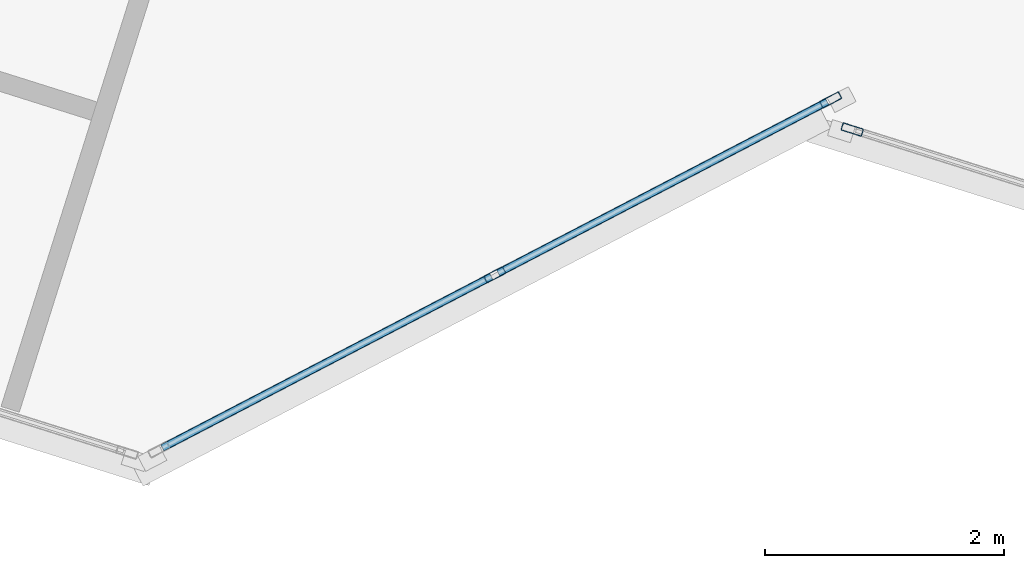
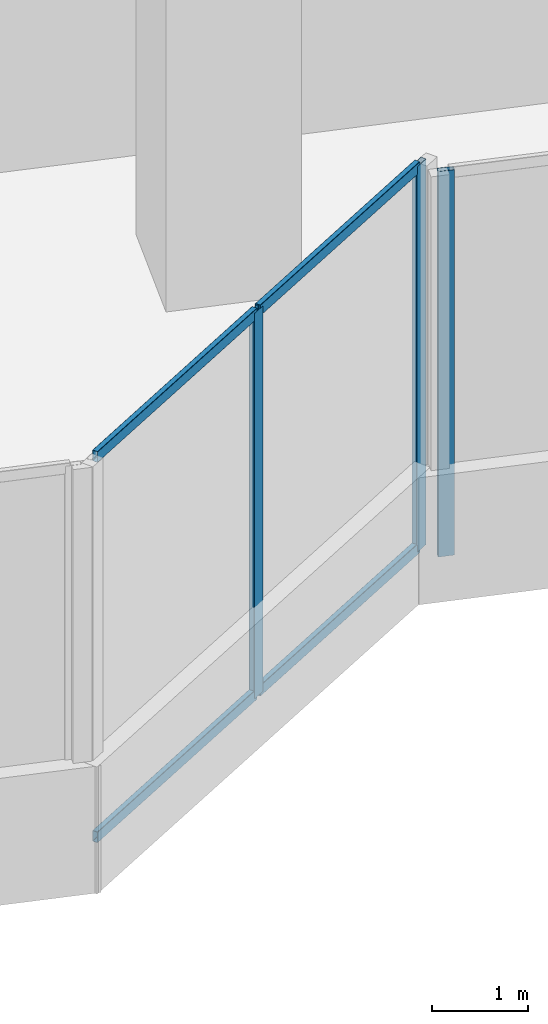
# One storey, part 5 of 28: 7 members, 2 elements without a shape of their own.
"""IFC4 building model written with IfcOpenShell, lengths in metres."""

from ifc_helpers import new_model, si_unit, direction, frame, origin, origin_2d, place, context, subcontext, project, spatial, hollow_rectangle, extrude, source, transform, mapped, material, material_profile, profile_set, type_object, element, aggregate, save


model = new_model("IFC4")

# Units and contexts
model_context = context("Model", 3, precision=1e-05, world=origin(), true_north=direction((0.0, 1.0)))
body_context = subcontext(model_context, "Body", "Model", "MODEL_VIEW")
ifc_project = project(units=[si_unit("LENGTHUNIT", "METRE"), si_unit("AREAUNIT", "SQUARE_METRE"), si_unit("VOLUMEUNIT", "CUBIC_METRE"), si_unit("PLANEANGLEUNIT", "RADIAN"), si_unit("MASSUNIT", "GRAM", prefix="KILO")], contexts=[model_context])

# Site, building, storey
site_placement = place(None, origin())
site = spatial("IfcSite", under=ifc_project, at=site_placement, CompositionType="ELEMENT")
building_placement = place(site_placement, origin())
building = spatial("IfcBuilding", under=site, at=building_placement, Name="Torre Montelarca", CompositionType="ELEMENT")
storey_placement = place(building_placement, frame((0.0, 0.0, 116.800048828125)))
storey = spatial("IfcBuildingStorey", under=building, at=storey_placement, Name="L26", CompositionType="ELEMENT", Elevation=116.800048828125)

# Curtain wall, members
ifc_material_1 = material(Name="Insulated low-E laminated glass", Category="glass")
curtain_wall_type = type_object("IfcCurtainWallType", Name="CW-SYS-Z1", PredefinedType="USERDEFINED", material=ifc_material_1)
curtain_wall_1_placement = place(storey_placement, origin())
curtain_wall_1 = element("IfcCurtainWall", 1, at=curtain_wall_1_placement, inside=storey, type_object=curtain_wall_type, Name="L26 Curtain Wall Run CW-T3-L26-E02-B1", ObjectType="UNITISED GLAZING", PredefinedType="USERDEFINED")
ifc_material_2 = material(Name="Anodised aluminium AA 6063-T6", Category="aluminium")
ifc_material_profile_1 = material_profile(ifc_material_2, hollow_rectangle(XDim=0.06494140625, YDim=0.139892578125, WallThickness=0.00390625, InnerFilletRadius=0.00390625, OuterFilletRadius=0.008056640625, at=origin_2d()), Name="ALU65X140X4", Category="aluminium")
ifc_profile_set_1 = profile_set([ifc_material_profile_1], Name="Anodised aluminium AA 6063-T6")
member_type_1 = type_object("IfcMemberType", Name="CWT-ALU140", PredefinedType="USERDEFINED", material=ifc_profile_set_1)
shared_shape_1 = source(origin(), body_context, "Body", "SweptSolid", [
    extrude(hollow_rectangle(XDim=0.06494140625, YDim=0.139892578125, WallThickness=0.00390625, InnerFilletRadius=0.00390625, OuterFilletRadius=0.008056640625, at=origin_2d()), origin(), (0.0, 0.0, 1.0), 3.1025390625),
])
member_1_placement = place(storey_placement, frame((26.5673828125, 11.586669921875, 0.032470703125), z_axis=(0.887005411838, 0.461759027383, 0.0), x_axis=(-0.461759027383, 0.887005411838, 0.0)))
member_1 = element("IfcMember", 2, at=member_1_placement, type_object=member_type_1, Name="CW transom 1.1", ObjectType="TRANSOM", PredefinedType="USERDEFINED", context=body_context, shape_type="MappedRepresentation", body=[
    mapped(shared_shape_1, transform((0.0, 0.0, 0.0), scale=1.0)),
])
member_2_placement = place(storey_placement, frame((26.5673828125, 11.586669921875, 4.887451171875), z_axis=(0.887005411838, 0.461759027383, 0.0), x_axis=(-0.461759027383, 0.887005411838, 0.0)))
member_2 = element("IfcMember", 3, at=member_2_placement, type_object=member_type_1, Name="CW transom 1.2", ObjectType="TRANSOM", PredefinedType="USERDEFINED", context=body_context, shape_type="MappedRepresentation", body=[
    mapped(shared_shape_1, transform((0.0, 0.0, 0.0), scale=1.0)),
])
member_3_placement = place(storey_placement, frame((29.376953125, 13.04931640625, 0.032470703125), z_axis=(0.887054414309, 0.461664885013, 0.0), x_axis=(-0.461664885013, 0.887054414309, 0.0)))
member_3 = element("IfcMember", 4, at=member_3_placement, type_object=member_type_1, Name="CW transom 2.1", ObjectType="TRANSOM", PredefinedType="USERDEFINED", context=body_context, shape_type="MappedRepresentation", body=[
    mapped(shared_shape_1, transform((0.0, 0.0, 0.0), scale=1.0)),
])
member_4_placement = place(storey_placement, frame((29.376953125, 13.04931640625, 4.887451171875), z_axis=(0.887054414309, 0.461664885013, 0.0), x_axis=(-0.461664885013, 0.887054414309, 0.0)))
member_4 = element("IfcMember", 5, at=member_4_placement, type_object=member_type_1, Name="CW transom 2.2", ObjectType="TRANSOM", PredefinedType="USERDEFINED", context=body_context, shape_type="MappedRepresentation", body=[
    mapped(shared_shape_1, transform((0.0, 0.0, 0.0), scale=1.0)),
])
ifc_material_profile_2 = material_profile(ifc_material_2, hollow_rectangle(XDim=0.06494140625, YDim=0.179931640625, WallThickness=0.00390625, InnerFilletRadius=0.00390625, OuterFilletRadius=0.008056640625, at=origin_2d()), Name="ALU65X180X4", Category="aluminium")
ifc_profile_set_2 = profile_set([ifc_material_profile_2], Name="Anodised aluminium AA 6063-T6")
member_type_2 = type_object("IfcMemberType", Name="CWM-ALU180", PredefinedType="MULLION", material=ifc_profile_set_2)
shared_shape_2 = source(origin(), body_context, "Body", "SweptSolid", [
    extrude(hollow_rectangle(XDim=0.06494140625, YDim=0.179931640625, WallThickness=0.00390625, InnerFilletRadius=0.00390625, OuterFilletRadius=0.008056640625, at=origin_2d()), origin(), (0.0, 0.0, 1.0), 4.919921875),
])
member_5_placement = place(storey_placement, frame((29.34814453125, 13.0341796875, 0.0), z_axis=(0.0, 0.0, 1.0), x_axis=(-0.461741342198, 0.887014618203, 0.0)))
member_5 = element("IfcMember", 6, at=member_5_placement, type_object=member_type_2, Name="CW mullion 2", PredefinedType="MULLION", context=body_context, shape_type="MappedRepresentation", body=[
    mapped(shared_shape_2, transform((0.0, 0.0, 0.0), scale=1.0)),
])
member_6_placement = place(storey_placement, frame((32.157958984375, 14.496826171875, 0.0), z_axis=(0.0, 0.0, 1.0), x_axis=(-0.461741342198, 0.887014618203, 0.0)))
member_6 = element("IfcMember", 7, at=member_6_placement, type_object=member_type_2, Name="CW mullion 3", PredefinedType="MULLION", context=body_context, shape_type="MappedRepresentation", body=[
    mapped(shared_shape_2, transform((0.0, 0.0, 0.0), scale=1.0)),
])
aggregate(curtain_wall_1, [member_5, member_6, member_1, member_2, member_3, member_4])

# Curtain wall, member
curtain_wall_2_placement = place(storey_placement, origin())
curtain_wall_2 = element("IfcCurtainWall", 8, at=curtain_wall_2_placement, inside=storey, type_object=curtain_wall_type, Name="L26 Curtain Wall Run CW-T3-L26-E04-B1", ObjectType="UNITISED GLAZING", PredefinedType="USERDEFINED")
member_7_placement = place(storey_placement, frame((32.33837890625, 14.249267578125, 0.0), z_axis=(0.0, 0.0, 1.0), x_axis=(0.300700885116, 0.953718500235, 0.0)))
member_7 = element("IfcMember", 9, at=member_7_placement, type_object=member_type_2, Name="CW mullion 1", PredefinedType="MULLION", context=body_context, shape_type="MappedRepresentation", body=[
    mapped(shared_shape_2, transform((0.0, 0.0, 0.0), scale=1.0)),
])
aggregate(curtain_wall_2, [member_7])

save(model, "model.ifc")
